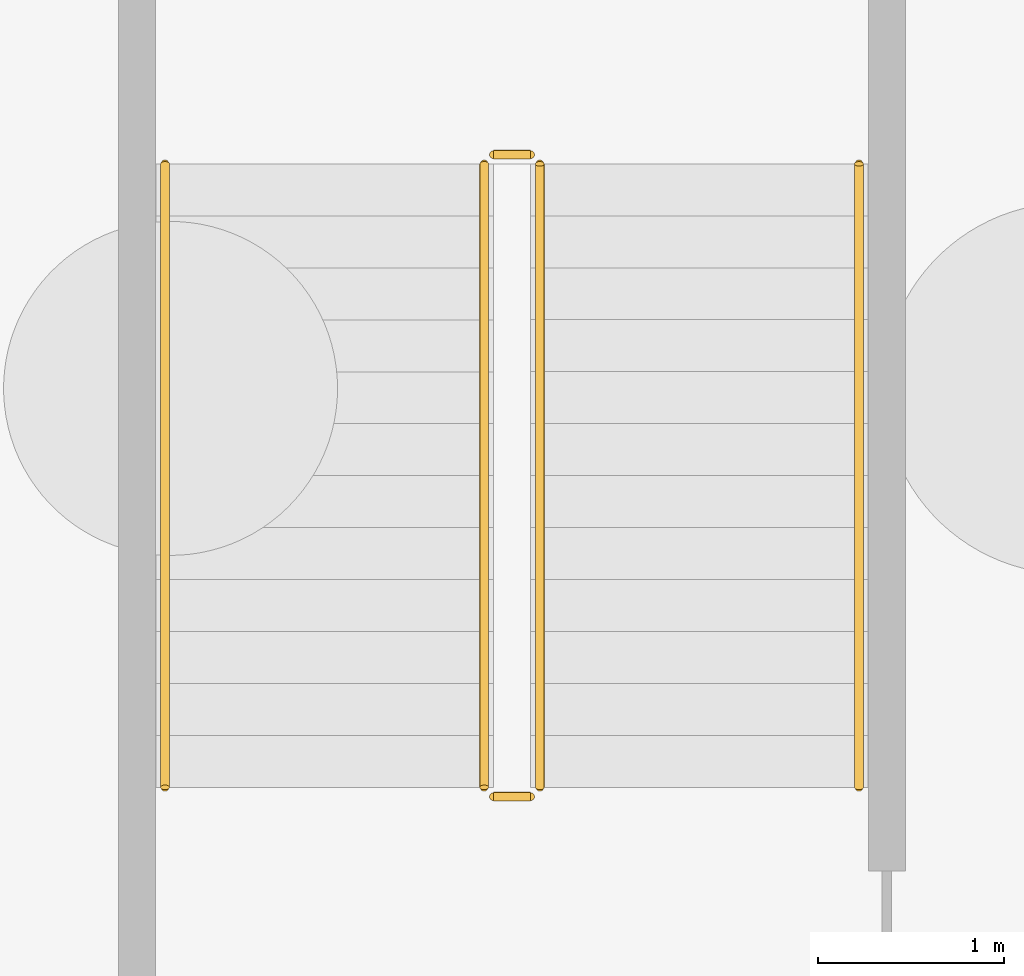
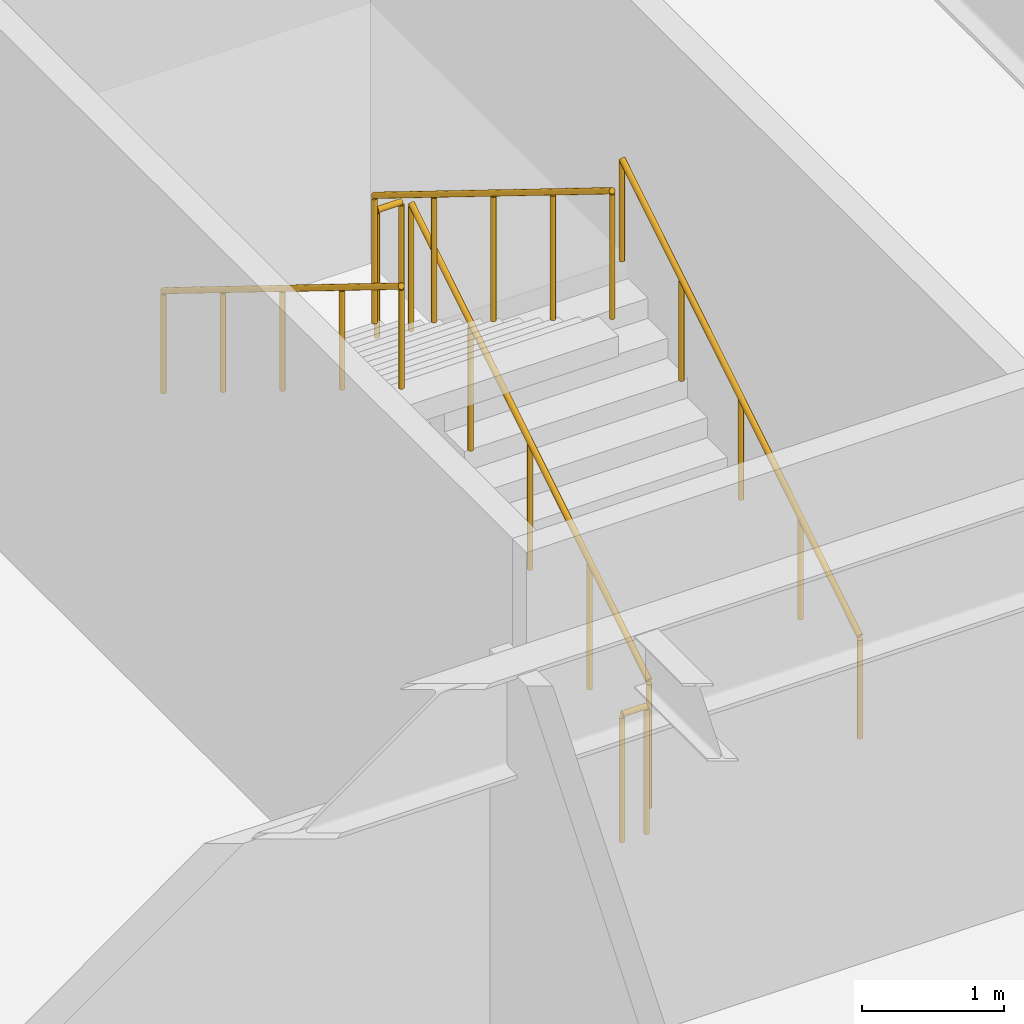
# One storey, part 9 of 11: 6 railings.
"""IFC4 building model written with IfcOpenShell, lengths in metres."""

from ifc_helpers import new_model, si_unit, direction, frame, origin, origin_2d, place, context, subcontext, project, spatial, circle, extrude, material, type_object, element, save


model = new_model("IFC4")

# Units and contexts
model_context = context("Model", 3, precision=1e-05, world=origin(), true_north=direction((0.0, 1.0)))
body_context = subcontext(model_context, "Body", "Model", "MODEL_VIEW")
ifc_project = project(units=[si_unit("LENGTHUNIT", "METRE"), si_unit("AREAUNIT", "SQUARE_METRE"), si_unit("VOLUMEUNIT", "CUBIC_METRE"), si_unit("PLANEANGLEUNIT", "RADIAN"), si_unit("MASSUNIT", "GRAM", prefix="KILO")], contexts=[model_context])

# Site, building, storey
site_placement = place(None, origin())
site = spatial("IfcSite", under=ifc_project, at=site_placement, CompositionType="ELEMENT")
building_placement = place(site_placement, origin())
building = spatial("IfcBuilding", under=site, at=building_placement, Name="Nefas-Gora Pilgrimage Tower", CompositionType="ELEMENT")
storey_placement = place(building_placement, frame((0.0, 0.0, -9.0)))
storey = spatial("IfcBuildingStorey", under=building, at=storey_placement, Name="B02", CompositionType="ELEMENT", Elevation=-9.0)

# Railings
ifc_material_1 = material(Name="Painted galvanised steel", Category="steel")
railing_type_1 = type_object("IfcRailingType", Name="RLG-STR-GUARD-1100", PredefinedType="GUARDRAIL", material=ifc_material_1)
railing_1_placement = place(storey_placement, frame((-29.469970703125, 11.800048828125, 0.173095703125)))
element("IfcRailing", 1, at=railing_1_placement, inside=storey, type_object=railing_type_1, Name="B02 ST-04 stair guard 1", PredefinedType="GUARDRAIL", context=body_context, shape_type="SweptSolid", body=[
    extrude(circle(Radius=0.02392578125, at=origin_2d()), frame((0.0, 0.0, 1.09619140625), z_axis=(0.0, 0.850606129759, 0.525803396734), x_axis=(-1.0, 0.0, 0.0)), (0.0, 0.0, 1.0), 3.949951171875),
    extrude(circle(Radius=0.02099609375, at=origin_2d()), origin(), (0.0, 0.0, 1.0), 1.072021484375),
    extrude(circle(Radius=0.02099609375, at=origin_2d()), frame((0.0, 0.83984375, 0.519287109375)), (0.0, 0.0, 1.0), 1.072021484375),
    extrude(circle(Radius=0.02099609375, at=origin_2d()), frame((0.0, 1.679931640625, 1.03857421875)), (0.0, 0.0, 1.0), 1.072021484375),
    extrude(circle(Radius=0.02099609375, at=origin_2d()), frame((0.0, 2.52001953125, 1.5576171875)), (0.0, 0.0, 1.0), 1.072021484375),
    extrude(circle(Radius=0.02099609375, at=origin_2d()), frame((0.0, 3.35986328125, 2.076904296875)), (0.0, 0.0, 1.0), 1.072021484375),
])
railing_2_placement = place(storey_placement, frame((-29.52001953125, 15.2099609375, 2.25)))
element("IfcRailing", 2, at=railing_2_placement, inside=storey, type_object=railing_type_1, Name="B02 ST-04 stair guard 2", PredefinedType="GUARDRAIL", context=body_context, shape_type="SweptSolid", body=[
    extrude(circle(Radius=0.02392578125, at=origin_2d()), frame((0.0, 0.0, 1.09619140625), z_axis=(-1.0, 0.0, 0.0), x_axis=(0.0, -1.0, 0.0)), (0.0, 0.0, 1.0), 0.199951171875),
    extrude(circle(Radius=0.02099609375, at=origin_2d()), origin(), (0.0, 0.0, 1.0), 1.072021484375),
    extrude(circle(Radius=0.02099609375, at=origin_2d()), frame((-0.199951171875, 0.0, 0.0)), (0.0, 0.0, 1.0), 1.072021484375),
])
railing_3_placement = place(storey_placement, frame((-29.77001953125, 15.159912109375, 2.423095703125)))
element("IfcRailing", 3, at=railing_3_placement, inside=storey, type_object=railing_type_1, Name="B02 ST-04 stair guard 3", PredefinedType="GUARDRAIL", context=body_context, shape_type="SweptSolid", body=[
    extrude(circle(Radius=0.02392578125, at=origin_2d()), frame((0.0, 0.0, 1.09619140625), z_axis=(0.0, -0.850606129759, 0.525803396734), x_axis=(1.0, 0.0, 0.0)), (0.0, 0.0, 1.0), 3.949951171875),
    extrude(circle(Radius=0.02099609375, at=origin_2d()), origin(), (0.0, 0.0, 1.0), 1.072021484375),
    extrude(circle(Radius=0.02099609375, at=origin_2d()), frame((0.0, -0.83984375, 0.519287109375)), (0.0, 0.0, 1.0), 1.072021484375),
    extrude(circle(Radius=0.02099609375, at=origin_2d()), frame((0.0, -1.679931640625, 1.03857421875)), (0.0, 0.0, 1.0), 1.072021484375),
    extrude(circle(Radius=0.02099609375, at=origin_2d()), frame((0.0, -2.52001953125, 1.5576171875)), (0.0, 0.0, 1.0), 1.072021484375),
    extrude(circle(Radius=0.02099609375, at=origin_2d()), frame((0.0, -3.35986328125, 2.076904296875)), (0.0, 0.0, 1.0), 1.072021484375),
])
railing_4_placement = place(storey_placement, frame((-29.52001953125, 11.75, 0.0)))
element("IfcRailing", 4, at=railing_4_placement, inside=storey, type_object=railing_type_1, Name="B02 ST-04 stair guard 4", PredefinedType="GUARDRAIL", context=body_context, shape_type="SweptSolid", body=[
    extrude(circle(Radius=0.02392578125, at=origin_2d()), frame((0.0, 0.0, 1.09619140625), z_axis=(-1.0, 0.0, 0.0), x_axis=(0.0, -1.0, 0.0)), (0.0, 0.0, 1.0), 0.199951171875),
    extrude(circle(Radius=0.02099609375, at=origin_2d()), origin(), (0.0, 0.0, 1.0), 1.072021484375),
    extrude(circle(Radius=0.02099609375, at=origin_2d()), frame((-0.199951171875, 0.0, 0.0)), (0.0, 0.0, 1.0), 1.072021484375),
])
ifc_material_2 = material(Name="Brushed stainless steel", Category="steel")
railing_type_2 = type_object("IfcRailingType", Name="RLG-STR-HAND-900", PredefinedType="HANDRAIL", material=ifc_material_2)
railing_5_placement = place(storey_placement, frame((-27.75, 11.800048828125, 0.173095703125)))
element("IfcRailing", 5, at=railing_5_placement, inside=storey, type_object=railing_type_2, Name="B02 ST-04 stair handrail 1", PredefinedType="HANDRAIL", context=body_context, shape_type="SweptSolid", body=[
    extrude(circle(Radius=0.02392578125, at=origin_2d()), frame((0.0, 0.0, 0.8759765625), z_axis=(0.0, 0.850606129759, 0.525803396734), x_axis=(-1.0, 0.0, 0.0)), (0.0, 0.0, 1.0), 3.949951171875),
    extrude(circle(Radius=0.02099609375, at=origin_2d()), origin(), (0.0, 0.0, 1.0), 0.851806640625),
    extrude(circle(Radius=0.02099609375, at=origin_2d()), frame((0.0, 0.83984375, 0.519287109375)), (0.0, 0.0, 1.0), 0.851806640625),
    extrude(circle(Radius=0.02099609375, at=origin_2d()), frame((0.0, 1.679931640625, 1.03857421875)), (0.0, 0.0, 1.0), 0.851806640625),
    extrude(circle(Radius=0.02099609375, at=origin_2d()), frame((0.0, 2.52001953125, 1.5576171875)), (0.0, 0.0, 1.0), 0.851806640625),
    extrude(circle(Radius=0.02099609375, at=origin_2d()), frame((0.0, 3.35986328125, 2.076904296875)), (0.0, 0.0, 1.0), 0.851806640625),
])
railing_6_placement = place(storey_placement, frame((-31.489990234375, 15.159912109375, 2.423095703125)))
element("IfcRailing", 6, at=railing_6_placement, inside=storey, type_object=railing_type_2, Name="B02 ST-04 stair handrail 2", PredefinedType="HANDRAIL", context=body_context, shape_type="SweptSolid", body=[
    extrude(circle(Radius=0.02392578125, at=origin_2d()), frame((0.0, 0.0, 0.8759765625), z_axis=(0.0, -0.850606129759, 0.525803396734), x_axis=(1.0, 0.0, 0.0)), (0.0, 0.0, 1.0), 3.949951171875),
    extrude(circle(Radius=0.02099609375, at=origin_2d()), origin(), (0.0, 0.0, 1.0), 0.851806640625),
    extrude(circle(Radius=0.02099609375, at=origin_2d()), frame((0.0, -0.83984375, 0.519287109375)), (0.0, 0.0, 1.0), 0.851806640625),
    extrude(circle(Radius=0.02099609375, at=origin_2d()), frame((0.0, -1.679931640625, 1.03857421875)), (0.0, 0.0, 1.0), 0.851806640625),
    extrude(circle(Radius=0.02099609375, at=origin_2d()), frame((0.0, -2.52001953125, 1.5576171875)), (0.0, 0.0, 1.0), 0.851806640625),
    extrude(circle(Radius=0.02099609375, at=origin_2d()), frame((0.0, -3.35986328125, 2.076904296875)), (0.0, 0.0, 1.0), 0.851806640625),
])

save(model, "model.ifc")
